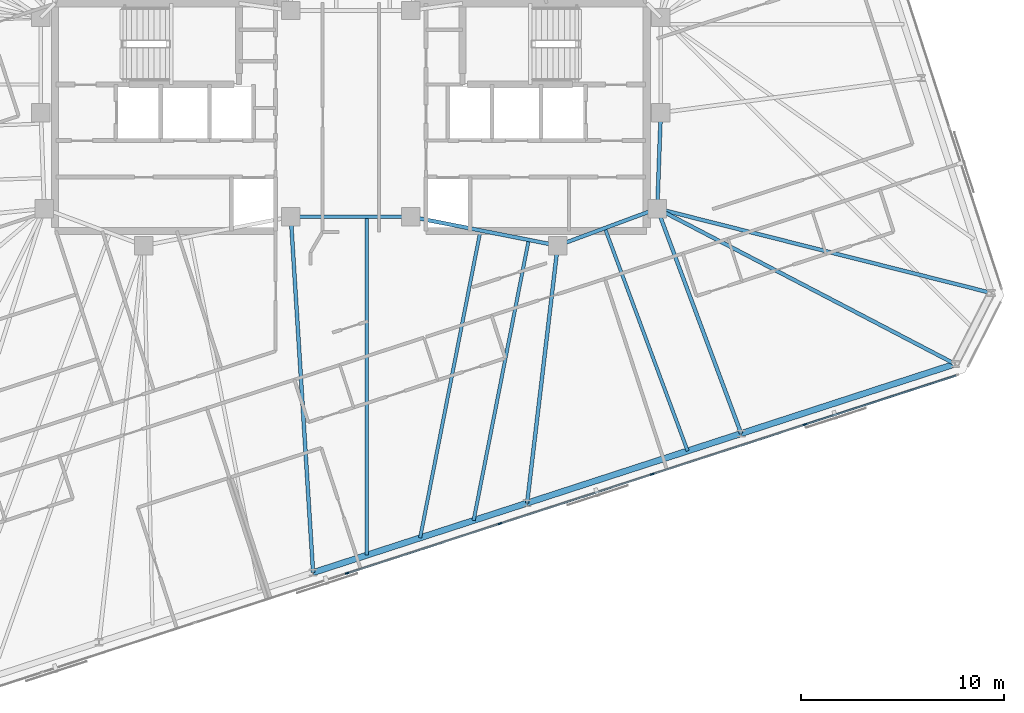
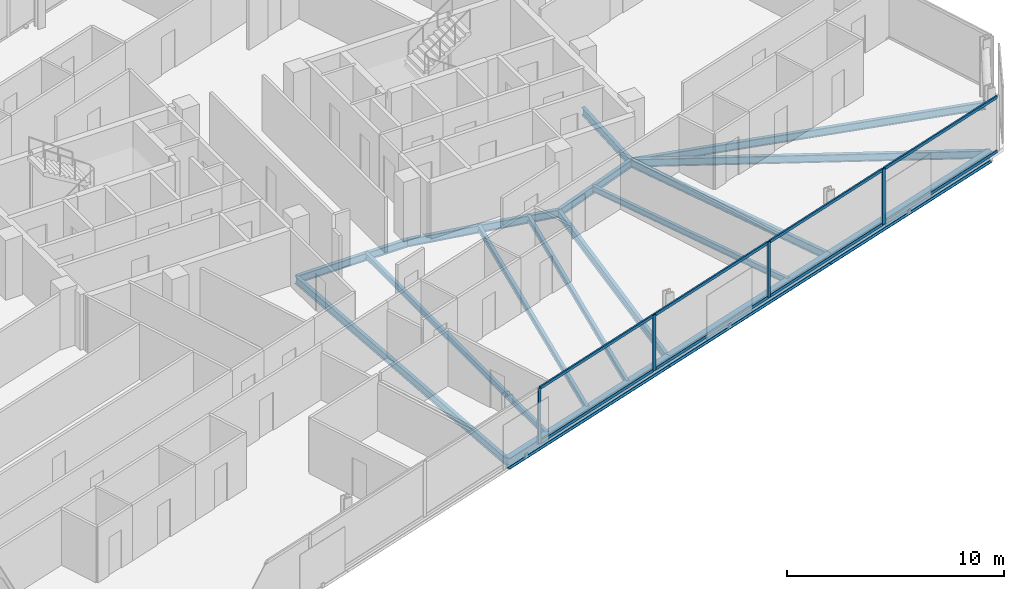
# One storey, part 7 of 20: 16 beams, 12 members, 1 element without a shape of its own.
"""IFC4 building model written with IfcOpenShell, lengths in metres."""

from ifc_helpers import new_model, si_unit, direction, frame, origin, origin_2d, place, context, subcontext, project, spatial, rectangle, i_section, extrude, material, material_profile, profile_set, type_object, element, aggregate, save


model = new_model("IFC4")

# Units and contexts
model_context = context("Model", 3, precision=1e-05, world=origin(), true_north=direction((0.0, 1.0)))
body_context = subcontext(model_context, "Body", "Model", "MODEL_VIEW")
ifc_project = project(units=[si_unit("LENGTHUNIT", "METRE"), si_unit("AREAUNIT", "SQUARE_METRE"), si_unit("VOLUMEUNIT", "CUBIC_METRE"), si_unit("PLANEANGLEUNIT", "RADIAN"), si_unit("MASSUNIT", "GRAM", prefix="KILO")], contexts=[model_context])

# Site, building, storey
site_placement = place(None, origin())
site = spatial("IfcSite", under=ifc_project, at=site_placement, CompositionType="ELEMENT")
building_placement = place(site_placement, origin())
building = spatial("IfcBuilding", under=site, at=building_placement, Name="Menara Jurai Vektor", CompositionType="ELEMENT")
storey_placement = place(building_placement, frame((0.0, 0.0, 237.699951171875)))
storey = spatial("IfcBuildingStorey", under=building, at=storey_placement, Name="L63", CompositionType="ELEMENT", Elevation=237.699951171875)

# Curtain wall, members
ifc_material_1 = material(Name="Anodised Pale Aluminium & Low-E Double Glazing", Category="aluminium")
curtain_wall_type = type_object("IfcCurtainWallType", Name="CW-BLK4", PredefinedType="NOTDEFINED", material=ifc_material_1)
curtain_wall_placement = place(storey_placement, origin())
curtain_wall = element("IfcCurtainWall", 1, at=curtain_wall_placement, inside=storey, type_object=curtain_wall_type, Name="Unitised Curtain Wall L63 F01", PredefinedType="NOTDEFINED")
ifc_material_2 = material(Name="Anodised Pale Aluminium Mullion", Category="aluminium")
ifc_material_profile_1 = material_profile(ifc_material_2, rectangle(XDim=0.080078125, YDim=0.18994140625, at=origin_2d()), Name="ALU MUL 80x190")
ifc_profile_set_1 = profile_set([ifc_material_profile_1], Name="Anodised Pale Aluminium Mullion")
member_type_1 = type_object("IfcMemberType", Name="CW-BLK4-MUL", PredefinedType="MULLION", material=ifc_profile_set_1)
member_1_placement = place(storey_placement, frame((-0.17236328125, -22.4404296875, 0.0), z_axis=(0.0, 0.0, 1.0), x_axis=(-0.309017344167, 0.951056402641, 0.0)))
member_1 = element("IfcMember", 2, at=member_1_placement, type_object=member_type_1, Name="CW-04 mullion 4", PredefinedType="MULLION", context=body_context, shape_type="SweptSolid", body=[
    extrude(rectangle(XDim=0.080078125, YDim=0.18994140625, at=origin_2d()), origin(), (0.0, 0.0, 1.0), 3.125),
])
member_2_placement = place(storey_placement, frame((7.3330078125, -20.001953125, 0.0), z_axis=(0.0, 0.0, 1.0), x_axis=(-0.309017344167, 0.951056402641, 0.0)))
member_2 = element("IfcMember", 3, at=member_2_placement, type_object=member_type_1, Name="CW-04 mullion 5", PredefinedType="MULLION", context=body_context, shape_type="SweptSolid", body=[
    extrude(rectangle(XDim=0.080078125, YDim=0.18994140625, at=origin_2d()), origin(), (0.0, 0.0, 1.0), 3.125),
])
member_3_placement = place(storey_placement, frame((14.838134765625, -17.563232421875, 0.0), z_axis=(0.0, 0.0, 1.0), x_axis=(-0.309017344167, 0.951056402641, 0.0)))
member_3 = element("IfcMember", 4, at=member_3_placement, type_object=member_type_1, Name="CW-04 mullion 6", PredefinedType="MULLION", context=body_context, shape_type="SweptSolid", body=[
    extrude(rectangle(XDim=0.080078125, YDim=0.18994140625, at=origin_2d()), origin(), (0.0, 0.0, 1.0), 3.125),
])
member_4_placement = place(storey_placement, frame((22.34326171875, -15.124755859375, 0.0), z_axis=(0.0, 0.0, 1.0), x_axis=(-0.309017344167, 0.951056402641, 0.0)))
member_4 = element("IfcMember", 5, at=member_4_placement, type_object=member_type_1, Name="CW-04 mullion 7", PredefinedType="MULLION", context=body_context, shape_type="SweptSolid", body=[
    extrude(rectangle(XDim=0.080078125, YDim=0.18994140625, at=origin_2d()), origin(), (0.0, 0.0, 1.0), 3.125),
])
ifc_material_3 = material(Name="Anodised Pale Aluminium Transom", Category="aluminium")
ifc_material_profile_2 = material_profile(ifc_material_3, rectangle(XDim=0.080078125, YDim=0.1650390625, at=origin_2d()), Name="ALU TRN 80x165")
ifc_profile_set_2 = profile_set([ifc_material_profile_2], Name="Anodised Pale Aluminium Transom")
member_type_2 = type_object("IfcMemberType", Name="CW-BLK4-TRN", PredefinedType="USERDEFINED", material=ifc_profile_set_2)
member_5_placement = place(storey_placement, frame((-0.13427734375, -22.427978515625, 0.0400390625), z_axis=(0.951059330237, 0.309008333817, 0.0), x_axis=(-0.309008333817, 0.951059330237, 0.0)))
member_5 = element("IfcMember", 6, at=member_5_placement, type_object=member_type_2, Name="CW-04 transom 4.1", ObjectType="TRANSOM", PredefinedType="USERDEFINED", context=body_context, shape_type="SweptSolid", body=[
    extrude(rectangle(XDim=0.080078125, YDim=0.1650390625, at=origin_2d()), origin(), (0.0, 0.0, 1.0), 7.8115234375),
])
member_6_placement = place(storey_placement, frame((-0.13427734375, -22.427978515625, 3.0849609375), z_axis=(0.951059330237, 0.309008333817, 0.0), x_axis=(-0.309008333817, 0.951059330237, 0.0)))
member_6 = element("IfcMember", 7, at=member_6_placement, type_object=member_type_2, Name="CW-04 transom 4.2", ObjectType="TRANSOM", PredefinedType="USERDEFINED", context=body_context, shape_type="SweptSolid", body=[
    extrude(rectangle(XDim=0.080078125, YDim=0.1650390625, at=origin_2d()), origin(), (0.0, 0.0, 1.0), 7.8115234375),
])
member_7_placement = place(storey_placement, frame((7.37109375, -19.989501953125, 0.0400390625), z_axis=(0.95105634578, 0.309017519167, 0.0), x_axis=(-0.309017519167, 0.95105634578, 0.0)))
member_7 = element("IfcMember", 8, at=member_7_placement, type_object=member_type_2, Name="CW-04 transom 5.1", ObjectType="TRANSOM", PredefinedType="USERDEFINED", context=body_context, shape_type="SweptSolid", body=[
    extrude(rectangle(XDim=0.080078125, YDim=0.1650390625, at=origin_2d()), origin(), (0.0, 0.0, 1.0), 7.811279296875),
])
member_8_placement = place(storey_placement, frame((7.37109375, -19.989501953125, 3.0849609375), z_axis=(0.95105634578, 0.309017519167, 0.0), x_axis=(-0.309017519167, 0.95105634578, 0.0)))
member_8 = element("IfcMember", 9, at=member_8_placement, type_object=member_type_2, Name="CW-04 transom 5.2", ObjectType="TRANSOM", PredefinedType="USERDEFINED", context=body_context, shape_type="SweptSolid", body=[
    extrude(rectangle(XDim=0.080078125, YDim=0.1650390625, at=origin_2d()), origin(), (0.0, 0.0, 1.0), 7.811279296875),
])
member_9_placement = place(storey_placement, frame((14.876220703125, -17.551025390625, 0.0400390625), z_axis=(0.95104715984, 0.309045789099, 0.0), x_axis=(-0.309045789099, 0.95104715984, 0.0)))
member_9 = element("IfcMember", 10, at=member_9_placement, type_object=member_type_2, Name="CW-04 transom 6.1", ObjectType="TRANSOM", PredefinedType="USERDEFINED", context=body_context, shape_type="SweptSolid", body=[
    extrude(rectangle(XDim=0.080078125, YDim=0.1650390625, at=origin_2d()), origin(), (0.0, 0.0, 1.0), 7.811279296875),
])
member_10_placement = place(storey_placement, frame((14.876220703125, -17.551025390625, 3.0849609375), z_axis=(0.95104715984, 0.309045789099, 0.0), x_axis=(-0.309045789099, 0.95104715984, 0.0)))
member_10 = element("IfcMember", 11, at=member_10_placement, type_object=member_type_2, Name="CW-04 transom 6.2", ObjectType="TRANSOM", PredefinedType="USERDEFINED", context=body_context, shape_type="SweptSolid", body=[
    extrude(rectangle(XDim=0.080078125, YDim=0.1650390625, at=origin_2d()), origin(), (0.0, 0.0, 1.0), 7.811279296875),
])
member_11_placement = place(storey_placement, frame((22.38134765625, -15.1123046875, 0.0400390625), z_axis=(0.951062230089, 0.308999408573, 0.0), x_axis=(-0.308999408573, 0.951062230089, 0.0)))
member_11 = element("IfcMember", 12, at=member_11_placement, type_object=member_type_2, Name="CW-04 transom 7.1", ObjectType="TRANSOM", PredefinedType="USERDEFINED", context=body_context, shape_type="SweptSolid", body=[
    extrude(rectangle(XDim=0.080078125, YDim=0.1650390625, at=origin_2d()), origin(), (0.0, 0.0, 1.0), 7.771484375),
])
member_12_placement = place(storey_placement, frame((22.38134765625, -15.1123046875, 3.0849609375), z_axis=(0.951062230089, 0.308999408573, 0.0), x_axis=(-0.308999408573, 0.951062230089, 0.0)))
member_12 = element("IfcMember", 13, at=member_12_placement, type_object=member_type_2, Name="CW-04 transom 7.2", ObjectType="TRANSOM", PredefinedType="USERDEFINED", context=body_context, shape_type="SweptSolid", body=[
    extrude(rectangle(XDim=0.080078125, YDim=0.1650390625, at=origin_2d()), origin(), (0.0, 0.0, 1.0), 7.771484375),
])
aggregate(curtain_wall, [member_1, member_2, member_3, member_4, member_5, member_6, member_7, member_8, member_9, member_10, member_11, member_12])

# Beams
ifc_material_4 = material(Name="Steel S355", Category="steel")
ifc_material_profile_3 = material_profile(ifc_material_4, i_section(OverallWidth=0.18505859375, OverallDepth=0.429931640625, WebThickness=0.010986328125, FlangeThickness=0.01806640625, at=origin_2d()), Name="PG 430x185x76")
ifc_profile_set_3 = profile_set([ifc_material_profile_3], Name="Steel S355")
beam_type_1 = type_object("IfcBeamType", Name="STR-BM-430", PredefinedType="BEAM", material=ifc_profile_set_3)
beam_1_placement = place(storey_placement, frame((15.080078125, -4.5, -0.43994140625), z_axis=(0.035977314146, 0.999352606874, 0.0), x_axis=(-0.999352606874, 0.035977314146, 0.0)))
element("IfcBeam", 14, at=beam_1_placement, inside=storey, type_object=beam_type_1, Name="Core Ring Header Girder L63-CHE-E2", PredefinedType="BEAM", context=body_context, shape_type="SweptSolid", body=[
    extrude(i_section(OverallWidth=0.18505859375, OverallDepth=0.429931640625, WebThickness=0.010986328125, FlangeThickness=0.01806640625, at=origin_2d()), origin(), (0.0, 0.0, 1.0), 4.72314453125),
])
beam_2_placement = place(storey_placement, frame((10.179931640625, -6.320068359375, -0.43994140625), z_axis=(0.937424400887, 0.348188874925, 0.0), x_axis=(-0.348188874925, 0.937424400887, 0.0)))
element("IfcBeam", 15, at=beam_2_placement, inside=storey, type_object=beam_type_1, Name="Core Ring Header Girder L63-CHE-S1", PredefinedType="BEAM", context=body_context, shape_type="SweptSolid", body=[
    extrude(i_section(OverallWidth=0.18505859375, OverallDepth=0.429931640625, WebThickness=0.010986328125, FlangeThickness=0.01806640625, at=origin_2d()), origin(), (0.0, 0.0, 1.0), 5.227294921875),
])
beam_3_placement = place(storey_placement, frame((2.949951171875, -4.89990234375, -0.43994140625), z_axis=(0.981249044334, -0.192744164614, 0.0), x_axis=(0.192744164614, 0.981249044334, 0.0)))
element("IfcBeam", 16, at=beam_3_placement, inside=storey, type_object=beam_type_1, Name="Core Ring Header Girder L63-CHE-S2", PredefinedType="BEAM", context=body_context, shape_type="SweptSolid", body=[
    extrude(i_section(OverallWidth=0.18505859375, OverallDepth=0.429931640625, WebThickness=0.010986328125, FlangeThickness=0.01806640625, at=origin_2d()), origin(), (0.0, 0.0, 1.0), 7.3681640625),
])
beam_4_placement = place(storey_placement, frame((-2.949951171875, -4.89990234375, -0.43994140625), z_axis=(1.0, 0.0, 0.0), x_axis=(0.0, 1.0, 0.0)))
element("IfcBeam", 17, at=beam_4_placement, inside=storey, type_object=beam_type_1, Name="Core Ring Header Girder L63-CC-1", PredefinedType="BEAM", context=body_context, shape_type="SweptSolid", body=[
    extrude(i_section(OverallWidth=0.18505859375, OverallDepth=0.429931640625, WebThickness=0.010986328125, FlangeThickness=0.01806640625, at=origin_2d()), origin(), (0.0, 0.0, 1.0), 5.89990234375),
])
beam_5_placement = place(storey_placement, frame((-1.854248046875, -22.40869140625, -0.43994140625), z_axis=(-0.062457995419, 0.998047593458, 0.0), x_axis=(-0.998047593458, -0.062457995419, 0.0)))
element("IfcBeam", 18, at=beam_5_placement, inside=storey, type_object=beam_type_1, Name="Radial Floor Girder L63-S3", PredefinedType="BEAM", context=body_context, shape_type="SweptSolid", body=[
    extrude(i_section(OverallWidth=0.18505859375, OverallDepth=0.429931640625, WebThickness=0.010986328125, FlangeThickness=0.01806640625, at=origin_2d()), origin(), (0.0, 0.0, 1.0), 17.54296875),
])
beam_6_placement = place(storey_placement, frame((8.675048828125, -18.987548828125, -0.43994140625), z_axis=(0.117969360513, 0.99301723549, 0.0), x_axis=(-0.99301723549, 0.117969360513, 0.0)))
element("IfcBeam", 19, at=beam_6_placement, inside=storey, type_object=beam_type_1, Name="Radial Floor Girder L63-S4", PredefinedType="BEAM", context=body_context, shape_type="SweptSolid", body=[
    extrude(i_section(OverallWidth=0.18505859375, OverallDepth=0.429931640625, WebThickness=0.010986328125, FlangeThickness=0.01806640625, at=origin_2d()), origin(), (0.0, 0.0, 1.0), 12.756591796875),
])
beam_7_placement = place(storey_placement, frame((19.204345703125, -15.56640625, -0.43994140625), z_axis=(-0.349219718154, 0.93704086808, 0.0), x_axis=(-0.93704086808, -0.349219718154, 0.0)))
element("IfcBeam", 20, at=beam_7_placement, inside=storey, type_object=beam_type_1, Name="Radial Floor Girder L63-S5", PredefinedType="BEAM", context=body_context, shape_type="SweptSolid", body=[
    extrude(i_section(OverallWidth=0.18505859375, OverallDepth=0.429931640625, WebThickness=0.010986328125, FlangeThickness=0.01806640625, at=origin_2d()), origin(), (0.0, 0.0, 1.0), 11.81005859375),
])
beam_8_placement = place(storey_placement, frame((29.7333984375, -12.14501953125, -0.43994140625), z_axis=(-0.886589587068, 0.462556919851, 0.0), x_axis=(-0.462556919851, -0.886589587068, 0.0)))
element("IfcBeam", 21, at=beam_8_placement, inside=storey, type_object=beam_type_1, Name="Radial Floor Girder L63-S6", PredefinedType="BEAM", context=body_context, shape_type="SweptSolid", body=[
    extrude(i_section(OverallWidth=0.18505859375, OverallDepth=0.429931640625, WebThickness=0.010986328125, FlangeThickness=0.01806640625, at=origin_2d()), origin(), (0.0, 0.0, 1.0), 16.52783203125),
])
beam_9_placement = place(storey_placement, frame((31.513427734375, -8.652099609375, -0.43994140625), z_axis=(-0.969531956771, 0.244964864418, 0.0), x_axis=(-0.244964864418, -0.969531956771, 0.0)))
element("IfcBeam", 22, at=beam_9_placement, inside=storey, type_object=beam_type_1, Name="Radial Floor Girder L63-E1", PredefinedType="BEAM", context=body_context, shape_type="SweptSolid", body=[
    extrude(i_section(OverallWidth=0.18505859375, OverallDepth=0.429931640625, WebThickness=0.010986328125, FlangeThickness=0.01806640625, at=origin_2d()), origin(), (0.0, 0.0, 1.0), 16.94970703125),
])
ifc_material_profile_4 = material_profile(ifc_material_4, i_section(OverallWidth=0.1650390625, OverallDepth=0.330078125, WebThickness=0.009033203125, FlangeThickness=0.013916015625, at=origin_2d()), Name="PG 330x165x46")
ifc_profile_set_4 = profile_set([ifc_material_profile_4], Name="Steel S355")
beam_type_2 = type_object("IfcBeamType", Name="STR-JS-330", PredefinedType="JOIST", material=ifc_profile_set_4)
beam_10_placement = place(storey_placement, frame((0.778076171875, -21.55322265625, -0.389892578125), z_axis=(0.0, 1.0, 0.0), x_axis=(-1.0, 0.0, 0.0)))
element("IfcBeam", 23, at=beam_10_placement, inside=storey, type_object=beam_type_2, Name="Radial Secondary Floor Joist L63-JS05", PredefinedType="JOIST", context=body_context, shape_type="SweptSolid", body=[
    extrude(i_section(OverallWidth=0.1650390625, OverallDepth=0.330078125, WebThickness=0.009033203125, FlangeThickness=0.013916015625, at=origin_2d()), origin(), (0.0, 0.0, 1.0), 16.6533203125),
])
beam_11_placement = place(storey_placement, frame((3.410400390625, -20.697998046875, -0.389892578125), z_axis=(0.192721610081, 0.981253474393, 0.0), x_axis=(-0.981253474393, 0.192721610081, 0.0)))
element("IfcBeam", 24, at=beam_11_placement, inside=storey, type_object=beam_type_2, Name="Radial Secondary Floor Joist L63-JS06", PredefinedType="JOIST", context=body_context, shape_type="SweptSolid", body=[
    extrude(i_section(OverallWidth=0.1650390625, OverallDepth=0.330078125, WebThickness=0.009033203125, FlangeThickness=0.013916015625, at=origin_2d()), origin(), (0.0, 0.0, 1.0), 15.413330078125),
])
beam_12_placement = place(storey_placement, frame((6.042724609375, -19.8427734375, -0.389892578125), z_axis=(0.192720535629, 0.981253685418, 0.0), x_axis=(-0.981253685418, 0.192720535629, 0.0)))
element("IfcBeam", 25, at=beam_12_placement, inside=storey, type_object=beam_type_2, Name="Radial Secondary Floor Joist L63-JS07", PredefinedType="JOIST", context=body_context, shape_type="SweptSolid", body=[
    extrude(i_section(OverallWidth=0.1650390625, OverallDepth=0.330078125, WebThickness=0.009033203125, FlangeThickness=0.013916015625, at=origin_2d()), origin(), (0.0, 0.0, 1.0), 14.066650390625),
])
beam_13_placement = place(storey_placement, frame((16.572021484375, -16.421630859375, -0.389892578125), z_axis=(-0.348179715909, 0.937427802782, 0.0), x_axis=(-0.937427802782, -0.348179715909, 0.0)))
element("IfcBeam", 26, at=beam_13_placement, inside=storey, type_object=beam_type_2, Name="Radial Secondary Floor Joist L63-JS08", PredefinedType="JOIST", context=body_context, shape_type="SweptSolid", body=[
    extrude(i_section(OverallWidth=0.1650390625, OverallDepth=0.330078125, WebThickness=0.009033203125, FlangeThickness=0.013916015625, at=origin_2d()), origin(), (0.0, 0.0, 1.0), 11.695068359375),
])
ifc_material_profile_5 = material_profile(ifc_material_4, i_section(OverallWidth=0.306884765625, OverallDepth=0.6201171875, WebThickness=0.013916015625, FlangeThickness=0.02392578125, FilletRadius=0.01708984375, at=origin_2d()), Name="UKB 610x305x179")
ifc_profile_set_5 = profile_set([ifc_material_profile_5], Name="Steel S355")
beam_type_3 = type_object("IfcBeamType", Name="STR-SP-610", PredefinedType="SPANDREL", material=ifc_profile_set_5)
for number, where, z_axis, x_axis, name in (
    (27, (-1.854248046875, -22.40869140625, -0.534912109375), (0.951057401967, 0.309014268544, 0.0), (-0.309014268544, 0.951057401967, 0.0), "Exoskeleton Spandrel Beam L63-03"),
    (28, (8.675048828125, -18.987548828125, -0.534912109375), (0.951057401967, 0.309014268544, 0.0), (-0.309014268544, 0.951057401967, 0.0), "Exoskeleton Spandrel Beam L63-04"),
    (29, (19.204345703125, -15.56640625, -0.534912109375), (0.951048814879, 0.309040695892, 0.0), (-0.309040695892, 0.951048814879, 0.0), "Exoskeleton Spandrel Beam L63-05"),
):
    element("IfcBeam", number, at=place(storey_placement, frame(where, z_axis=z_axis, x_axis=x_axis)), inside=storey, type_object=beam_type_3, Name=name, PredefinedType="SPANDREL", context=body_context, shape_type="SweptSolid", body=[
        extrude(i_section(OverallWidth=0.306884765625, OverallDepth=0.6201171875, WebThickness=0.013916015625, FlangeThickness=0.02392578125, FilletRadius=0.01708984375, at=origin_2d()), origin(), (0.0, 0.0, 1.0), 11.071044921875),
    ])

save(model, "model.ifc")
